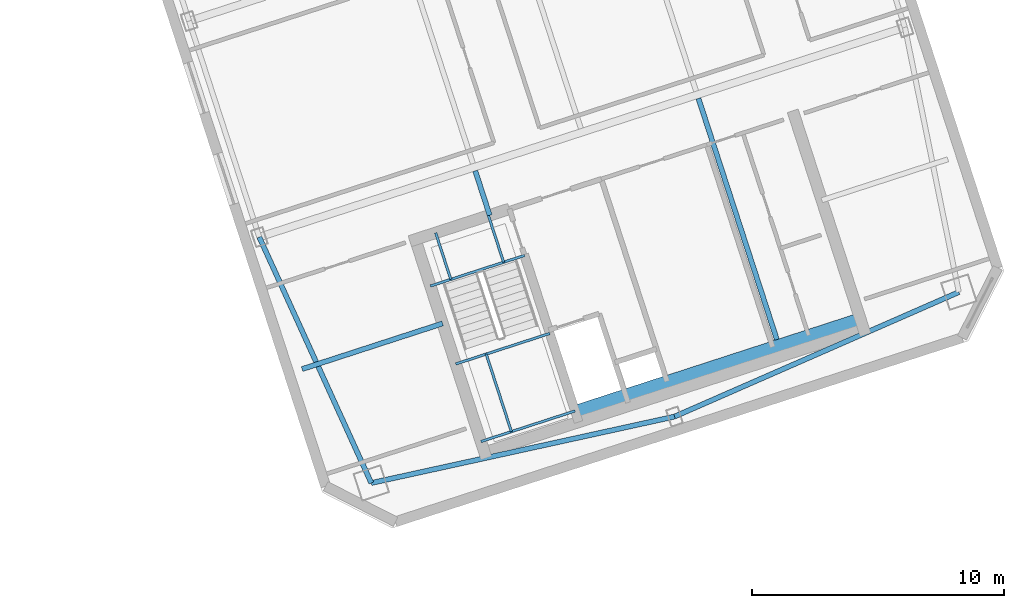
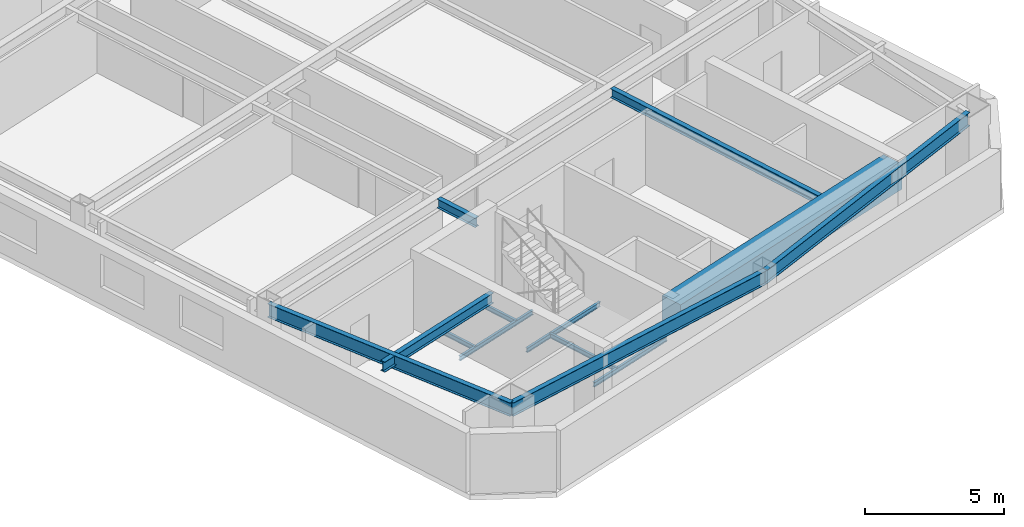
# One storey, part 11 of 25: 13 beams.
"""IFC4 building model written with IfcOpenShell, lengths in metres."""

import ifcopenshell
import ifcopenshell.guid

model = None  # the IFC model being written
_history = None  # IfcOwnerHistory: only IFC2X3 demands one
_inside = {}  # id of a spatial element -> (the spatial element, [elements in it])
_under = {}  # id of a project, library or spatial element -> (it, [spatial elements below it])
_declared = {}  # id of a project -> (the project, [libraries it declares])
_typed = {}  # id of a type object -> (the type object, [elements of that type])
_made_of = {}  # id of a material, layer set ... -> (it, [elements and type objects made of it])


def new_model(schema):
    """Start an empty IFC model of exactly this schema.

    Asked for "IFC4X3", IfcOpenShell would pick the latest addendum, in which some entities
    have other attributes; the version numbers below select the first issue.
    IFC2X3 requires an IfcOwnerHistory on every rooted entity: one is made here for all.
    """
    global model, _history
    if schema == "IFC4X3":
        model = ifcopenshell.file(schema_version=(4, 3, 0, 0))
    else:
        model = ifcopenshell.file(schema=schema)
    _inside.clear()
    _under.clear()
    _declared.clear()
    _typed.clear()
    _made_of.clear()
    _history = None
    if model.schema == "IFC2X3":
        org = make("IfcOrganization", Name="unknown")
        user = make(
            "IfcPersonAndOrganization",
            ThePerson=make("IfcPerson", FamilyName="unknown"),
            TheOrganization=org,
        )
        app = make(
            "IfcApplication",
            ApplicationDeveloper=org,
            Version="unknown",
            ApplicationFullName="unknown",
            ApplicationIdentifier="unknown",
        )
        _history = make(
            "IfcOwnerHistory",
            OwningUser=user,
            OwningApplication=app,
            ChangeAction="ADDED",
            CreationDate=0,
        )
    return model


def make(cls, **values):
    """One entity of the class cls with the attributes given. An attribute that is None is left unset."""
    return model.create_entity(
        cls, **{name: value for name, value in values.items() if value is not None}
    )


def rooted(cls, **values):
    """An entity with a GlobalId (a new one), such as an element, a storey or a relation."""
    return make(cls, GlobalId=ifcopenshell.guid.new(), OwnerHistory=_history, **values)


def si_unit(unit_type, name, prefix=None):
    """IfcSIUnit, for example si_unit("LENGTHUNIT", "METRE", prefix="MILLI")."""
    return make("IfcSIUnit", UnitType=unit_type, Prefix=prefix, Name=name)


def assignment(units):
    """IfcUnitAssignment: the units of a project."""
    return None if units is None else make("IfcUnitAssignment", Units=units)


def point(xyz):
    """IfcCartesianPoint."""
    return None if xyz is None else make("IfcCartesianPoint", Coordinates=xyz)


def direction(xyz):
    """IfcDirection."""
    return None if xyz is None else make("IfcDirection", DirectionRatios=xyz)


def frame(location, z_axis=None, x_axis=None):
    """IfcAxis2Placement3D, a coordinate frame: its origin and axes. An axis left out is left unset."""
    return make(
        "IfcAxis2Placement3D",
        Location=point(location),
        Axis=direction(z_axis),
        RefDirection=direction(x_axis),
    )


def frame_2d(location, x_axis=None):
    """IfcAxis2Placement2D, a coordinate frame in the plane: its origin and x axis."""
    return make(
        "IfcAxis2Placement2D", Location=point(location), RefDirection=direction(x_axis)
    )


def origin():
    """The frame at (0, 0, 0) with its axes left unset."""
    return frame((0.0, 0.0, 0.0))


def origin_2d():
    """The frame at (0, 0) in the plane with its x axis left unset."""
    return frame_2d((0.0, 0.0))


def place(relative_to, where):
    """IfcLocalPlacement: puts the frame where relative to a parent placement (None: the world)."""
    return make(
        "IfcLocalPlacement", PlacementRelTo=relative_to, RelativePlacement=where
    )


def context(
    kind, dimensions, precision=None, world=None, true_north=None, identifier=None
):
    """IfcGeometricRepresentationContext, for example the 3D "Model" context."""
    return make(
        "IfcGeometricRepresentationContext",
        ContextIdentifier=identifier,
        ContextType=kind,
        CoordinateSpaceDimension=dimensions,
        Precision=precision,
        WorldCoordinateSystem=world,
        TrueNorth=true_north,
    )


def subcontext(parent, identifier, kind, view, scale=None):
    """IfcGeometricRepresentationSubContext, for example "Body" below "Model"."""
    return make(
        "IfcGeometricRepresentationSubContext",
        ContextIdentifier=identifier,
        ContextType=kind,
        ParentContext=parent,
        TargetScale=scale,
        TargetView=view,
    )


def project(units=None, contexts=None):
    """IfcProject with its units and contexts."""
    return rooted(
        "IfcProject",
        Name="project",
        RepresentationContexts=contexts,
        UnitsInContext=assignment(units),
    )


def spatial(cls, under=None, at=None, **own):
    """A site, building, storey or space (cls), placed at a placement, below another one or the project."""
    s = rooted(cls, ObjectPlacement=at, **own)
    if under is not None:
        _under.setdefault(under.id(), (under, []))[1].append(s)
    return s


def profile(cls, at=None, kind="AREA", **sizes):
    """A parametric profile (cls). Its sizes go by their IFC names, for example OverallWidth=200.0."""
    return make(cls, ProfileType=kind, Position=at, **sizes)


def rectangle(**sizes):
    """IfcRectangleProfileDef."""
    return profile("IfcRectangleProfileDef", **sizes)


def i_section(**sizes):
    """IfcIShapeProfileDef."""
    return profile("IfcIShapeProfileDef", **sizes)


def extrude(swept, where, along, depth):
    """IfcExtrudedAreaSolid: the profile swept, set in the frame where, extruded along a direction by depth."""
    return make(
        "IfcExtrudedAreaSolid",
        SweptArea=swept,
        Position=where,
        ExtrudedDirection=direction(along),
        Depth=depth,
    )


def shape(context_of_items, identifier, shape_type, items):
    """IfcShapeRepresentation: the items that make up one representation, for example the "Body"."""
    return make(
        "IfcShapeRepresentation",
        ContextOfItems=context_of_items,
        RepresentationIdentifier=identifier,
        RepresentationType=shape_type,
        Items=items,
    )


def material(Name=None, Category=None):
    """IfcMaterial."""
    return make("IfcMaterial", Name=Name, Category=Category)


def material_profile(
    of_material, cross_section, Name=None, Category=None, Priority=None
):
    """IfcMaterialProfile: a cross section and its material."""
    return make(
        "IfcMaterialProfile",
        Name=Name,
        Material=of_material,
        Profile=cross_section,
        Priority=Priority,
        Category=Category,
    )


def profile_set(profiles, Name=None, composite=None):
    """IfcMaterialProfileSet."""
    return make(
        "IfcMaterialProfileSet",
        Name=Name,
        MaterialProfiles=profiles,
        CompositeProfile=composite,
    )


def made_of(thing, what):
    """Note that an element or type object is made of a material, layer set ...; save() writes the relation."""
    if what is not None:
        _made_of.setdefault(what.id(), (what, []))[1].append(thing)
    return thing


def type_object(cls, material=None, **own):
    """A type object (cls), such as IfcWallType, which elements share."""
    return made_of(rooted(cls, **own), material)


def element(
    cls,
    number,
    at=None,
    inside=None,
    cuts=None,
    type_object=None,
    material=None,
    context=None,
    identifier="Body",
    shape_type=None,
    held_by="IfcProductDefinitionShape",
    body=None,
    shapes=None,
    **own,
):
    """One element of the class cls, such as IfcWall. Its Tag is "e" and its number.

    at: its placement. inside: the storey or other place that contains it. cuts: it is an
    opening in that element (IfcRelVoidsElement). A single representation is given by context,
    identifier, shape_type and body (its items); several are given by shapes. held_by: the class
    of the entity that holds the representations. save() writes the other relations.
    """
    e = rooted(cls, Tag="e%d" % number, ObjectPlacement=at, **own)
    if body is not None:
        shapes = [shape(context, identifier, shape_type, body)]
    if shapes is not None:
        e.Representation = make(held_by, Representations=shapes)
    if inside is not None:
        _inside.setdefault(inside.id(), (inside, []))[1].append(e)
    if cuts is not None:
        rooted(
            "IfcRelVoidsElement", RelatingBuildingElement=cuts, RelatedOpeningElement=e
        )
    if type_object is not None:
        _typed.setdefault(type_object.id(), (type_object, []))[1].append(e)
    return made_of(e, material)


def aggregate(whole, parts):
    """IfcRelAggregates: a whole, such as a stair, and the parts it consists of."""
    return rooted("IfcRelAggregates", RelatingObject=whole, RelatedObjects=parts)


def save(model, path):
    """Write the relations noted so far, then the file.

    IfcRelAggregates (storeys below a building ...), IfcRelContainedInSpatialStructure (elements
    in a storey), IfcRelDefinesByType, IfcRelAssociatesMaterial and IfcRelDeclares: one each for
    every whole, place, type object, material and project.
    """
    for whole, parts in _under.values():
        aggregate(whole, parts)
    for where, things in _inside.values():
        rooted(
            "IfcRelContainedInSpatialStructure",
            RelatedElements=things,
            RelatingStructure=where,
        )
    for kind, things in _typed.values():
        rooted("IfcRelDefinesByType", RelatedObjects=things, RelatingType=kind)
    for what, things in _made_of.values():
        rooted("IfcRelAssociatesMaterial", RelatedObjects=things, RelatingMaterial=what)
    for by, libraries in _declared.values():
        rooted("IfcRelDeclares", RelatingContext=by, RelatedDefinitions=libraries)
    model.write(path)


model = new_model("IFC4")

# Units and contexts
model_context = context("Model", 3, precision=1e-05, world=origin(), true_north=direction((0.0, 1.0)))
body_context = subcontext(model_context, "Body", "Model", "MODEL_VIEW")
ifc_project = project(units=[si_unit("LENGTHUNIT", "METRE"), si_unit("AREAUNIT", "SQUARE_METRE"), si_unit("VOLUMEUNIT", "CUBIC_METRE"), si_unit("PLANEANGLEUNIT", "RADIAN"), si_unit("MASSUNIT", "GRAM", prefix="KILO")], contexts=[model_context])

# Site, building, storey
site_placement = place(None, origin())
site = spatial("IfcSite", under=ifc_project, at=site_placement, CompositionType="ELEMENT")
building_placement = place(site_placement, origin())
building = spatial("IfcBuilding", under=site, at=building_placement, Name="Qiaolan Cultural Towers", CompositionType="ELEMENT")
storey_placement = place(building_placement, frame((0.0, 0.0, 202.39990234375)))
storey = spatial("IfcBuildingStorey", under=building, at=storey_placement, Name="L54", CompositionType="ELEMENT", Elevation=202.39990234375)

# Beams
ifc_material_1 = material(Name="Steel Q355B", Category="steel")
ifc_material_profile_1 = material_profile(ifc_material_1, i_section(OverallWidth=0.199951171875, OverallDepth=0.39990234375, WebThickness=0.008056640625, FlangeThickness=0.012939453125, at=origin_2d()), Name="HN400x200x8x13")
ifc_profile_set_1 = profile_set([ifc_material_profile_1], Name="Steel Q355B")
beam_type_1 = type_object("IfcBeamType", Name="BM-JST-HN400x200x8x13", PredefinedType="JOIST", material=ifc_profile_set_1)
beam_1_placement = place(storey_placement, frame((89.119384765625, 22.147705078125, 2.989990234375), z_axis=(-0.308933885266, 0.951083516067, 0.0), x_axis=(-0.951083516067, -0.308933885266, 0.0)))
element("IfcBeam", 1, at=beam_1_placement, inside=storey, type_object=beam_type_1, Name="L54 T2 Secondary Floor Joist U1-1", PredefinedType="JOIST", context=body_context, shape_type="SweptSolid", body=[
    extrude(i_section(OverallWidth=0.199951171875, OverallDepth=0.39990234375, WebThickness=0.008056640625, FlangeThickness=0.012939453125, at=origin_2d()), origin(), (0.0, 0.0, 1.0), 1.85009765625),
])
beam_2_placement = place(storey_placement, frame((100.498291015625, 17.222900390625, 2.989990234375), z_axis=(-0.309025649293, 0.951053704098, 0.0), x_axis=(-0.951053704098, -0.309025649293, 0.0)))
element("IfcBeam", 2, at=beam_2_placement, inside=storey, type_object=beam_type_1, Name="L54 T2 Secondary Floor Joist U3-1", PredefinedType="JOIST", context=body_context, shape_type="SweptSolid", body=[
    extrude(i_section(OverallWidth=0.199951171875, OverallDepth=0.39990234375, WebThickness=0.008056640625, FlangeThickness=0.012939453125, at=origin_2d()), origin(), (0.0, 0.0, 1.0), 10.050048828125),
])
ifc_material_2 = material(Name="Steel Q355B", Category="steel")
ifc_material_profile_2 = material_profile(ifc_material_2, i_section(OverallWidth=0.199951171875, OverallDepth=0.449951171875, WebThickness=0.009033203125, FlangeThickness=0.013916015625, at=origin_2d()), Name="HN450x200x9x14")
ifc_profile_set_2 = profile_set([ifc_material_profile_2], Name="Steel Q355B")
beam_type_2 = type_object("IfcBeamType", Name="BM-LNT-HN450x200x9x14", PredefinedType="LINTEL", material=ifc_profile_set_2)
beam_3_placement = place(storey_placement, frame((87.252685546875, 17.861083984375, 2.965087890625), z_axis=(-0.951063813276, -0.308994535675, 0.0), x_axis=(0.308994535675, -0.951063813276, 0.0)))
element("IfcBeam", 3, at=beam_3_placement, inside=storey, type_object=beam_type_2, Name="L54 T2 Core Flank Tie Lintel WS", PredefinedType="LINTEL", context=body_context, shape_type="SweptSolid", body=[
    extrude(i_section(OverallWidth=0.199951171875, OverallDepth=0.449951171875, WebThickness=0.009033203125, FlangeThickness=0.013916015625, at=origin_2d()), origin(), (0.0, 0.0, 1.0), 5.85009765625),
])
ifc_material_3 = material(Name="Concrete C50", Category="concrete")
ifc_material_profile_3 = material_profile(ifc_material_3, rectangle(XDim=0.89990234375, YDim=1.10009765625, at=origin_2d()), Name="RC900x1100")
ifc_profile_set_3 = profile_set([ifc_material_profile_3], Name="Concrete C50")
beam_type_3 = type_object("IfcBeamType", Name="BM-RC900x1100", PredefinedType="BEAM", material=ifc_profile_set_3)
beam_4_placement = place(storey_placement, frame((92.572265625, 14.174560546875, 2.64013671875), z_axis=(0.951056266386, 0.309017763514, 0.0), x_axis=(-0.309017763514, 0.951056266386, 0.0)))
element("IfcBeam", 4, at=beam_4_placement, inside=storey, type_object=beam_type_3, Name="L54 T2 Core Header Girder S", PredefinedType="BEAM", context=body_context, shape_type="SweptSolid", body=[
    extrude(rectangle(XDim=0.89990234375, YDim=1.10009765625, at=origin_2d()), origin(), (0.0, 0.0, 1.0), 11.880126953125),
])
ifc_material_4 = material(Name="Steel Q355B", Category="steel")
ifc_material_profile_4 = material_profile(ifc_material_4, i_section(OverallWidth=0.199951171875, OverallDepth=0.60009765625, WebThickness=0.010986328125, FlangeThickness=0.01708984375, at=origin_2d()), Name="HN600x200x11x17")
ifc_profile_set_4 = profile_set([ifc_material_profile_4], Name="Steel Q355B")
beam_type_4 = type_object("IfcBeamType", Name="BM-SPD-HN600x200x11x17", PredefinedType="SPANDREL", material=ifc_profile_set_4)
beam_5_placement = place(storey_placement, frame((84.42822265625, 11.538818359375, 2.89013671875), z_axis=(0.976843395078, 0.213955559619, 0.0), x_axis=(-0.213955559619, 0.976843395078, 0.0)))
element("IfcBeam", 5, at=beam_5_placement, inside=storey, type_object=beam_type_4, Name="L54 T2 Perimeter Spandrel Beam 1", PredefinedType="SPANDREL", context=body_context, shape_type="SweptSolid", body=[
    extrude(i_section(OverallWidth=0.199951171875, OverallDepth=0.60009765625, WebThickness=0.010986328125, FlangeThickness=0.01708984375, at=origin_2d()), origin(), (0.0, 0.0, 1.0), 12.2998046875),
])
beam_6_placement = place(storey_placement, frame((96.443115234375, 14.17041015625, 2.89013671875), z_axis=(0.916042038824, 0.401082264762, 0.0), x_axis=(-0.401082264762, 0.916042038824, 0.0)))
element("IfcBeam", 6, at=beam_6_placement, inside=storey, type_object=beam_type_4, Name="L54 T2 Perimeter Spandrel Beam 2", PredefinedType="SPANDREL", context=body_context, shape_type="SweptSolid", body=[
    extrude(i_section(OverallWidth=0.199951171875, OverallDepth=0.60009765625, WebThickness=0.010986328125, FlangeThickness=0.01708984375, at=origin_2d()), origin(), (0.0, 0.0, 1.0), 12.299560546875),
])
beam_7_placement = place(storey_placement, frame((79.989501953125, 21.2841796875, 2.89013671875), z_axis=(0.414500208282, -0.910049216985, 0.0), x_axis=(0.910049216985, 0.414500208282, 0.0)))
element("IfcBeam", 7, at=beam_7_placement, inside=storey, type_object=beam_type_4, Name="L54 T2 Perimeter Spandrel Beam 12", PredefinedType="SPANDREL", context=body_context, shape_type="SweptSolid", body=[
    extrude(i_section(OverallWidth=0.199951171875, OverallDepth=0.60009765625, WebThickness=0.010986328125, FlangeThickness=0.01708984375, at=origin_2d()), origin(), (0.0, 0.0, 1.0), 10.70849609375),
])
ifc_material_5 = material(Name="Steel Q355B", Category="steel")
ifc_material_profile_5 = material_profile(ifc_material_5, i_section(OverallWidth=0.10009765625, OverallDepth=0.199951171875, WebThickness=0.005615234375, FlangeThickness=0.008056640625, at=origin_2d()), Name="HN200x100x5.5x8")
ifc_profile_set_5 = profile_set([ifc_material_profile_5], Name="Steel Q355B")
beam_type_5 = type_object("IfcBeamType", Name="BM-STTRIM-200", PredefinedType="BEAM", material=ifc_profile_set_5)
beam_8_placement = place(storey_placement, frame((86.770751953125, 19.3447265625, -0.4599609375), z_axis=(0.951047798727, 0.309043823005, 0.0), x_axis=(-0.309043823005, 0.951047798727, 0.0)))
element("IfcBeam", 8, at=beam_8_placement, inside=storey, type_object=beam_type_5, Name="L54 ST-E1 Floor Landing Header Beam", PredefinedType="BEAM", context=body_context, shape_type="SweptSolid", body=[
    extrude(i_section(OverallWidth=0.10009765625, OverallDepth=0.199951171875, WebThickness=0.005615234375, FlangeThickness=0.008056640625, at=origin_2d()), origin(), (0.0, 0.0, 1.0), 3.919921875),
])
for number, where, z_axis, x_axis, name in (
    (9, (86.9794921875, 21.452392578125, -0.4599609375), (0.309083226701, -0.951034993558, 0.0), (0.951034993558, 0.309083226701, 0.0), "L54 ST-E1 Floor Landing Stringer 1"),
    (10, (89.07177734375, 22.13232421875, -0.4599609375), (0.309083226701, -0.951034993558, 0.0), (0.951034993558, 0.309083226701, 0.0), "L54 ST-E1 Floor Landing Stringer 2"),
):
    element("IfcBeam", number, at=place(storey_placement, frame(where, z_axis=z_axis, x_axis=x_axis)), inside=storey, type_object=beam_type_5, Name=name, PredefinedType="BEAM", context=body_context, shape_type="SweptSolid", body=[
        extrude(i_section(OverallWidth=0.10009765625, OverallDepth=0.199951171875, WebThickness=0.005615234375, FlangeThickness=0.008056640625, at=origin_2d()), origin(), (0.0, 0.0, 1.0), 1.93994140625),
    ])
for number, where, z_axis, x_axis, name in (
    (11, (87.774658203125, 16.255126953125, 1.425048828125), (0.951047798727, 0.309043823005, 0.0), (-0.309043823005, 0.951047798727, 0.0), "L54 ST-E1 Stair Landing Support Beam 1-1"),
    (12, (88.773193359375, 13.181884765625, 1.425048828125), (0.951047798727, 0.309043823005, 0.0), (-0.309043823005, 0.951047798727, 0.0), "L54 ST-E1 Stair Landing Support Beam 1-2"),
):
    element("IfcBeam", number, at=place(storey_placement, frame(where, z_axis=z_axis, x_axis=x_axis)), inside=storey, type_object=beam_type_5, Name=name, PredefinedType="BEAM", context=body_context, shape_type="SweptSolid", body=[
        extrude(i_section(OverallWidth=0.10009765625, OverallDepth=0.199951171875, WebThickness=0.005615234375, FlangeThickness=0.008056640625, at=origin_2d()), origin(), (0.0, 0.0, 1.0), 3.919921875),
    ])
beam_9_placement = place(storey_placement, frame((88.982421875, 16.6474609375, 1.425048828125), z_axis=(0.309033108495, -0.951051280349, 0.0), x_axis=(0.951051280349, 0.309033108495, 0.0)))
element("IfcBeam", 13, at=beam_9_placement, inside=storey, type_object=beam_type_5, Name="L54 ST-E1 Stair Landing Trimmer 1", PredefinedType="BEAM", context=body_context, shape_type="SweptSolid", body=[
    extrude(i_section(OverallWidth=0.10009765625, OverallDepth=0.199951171875, WebThickness=0.005615234375, FlangeThickness=0.008056640625, at=origin_2d()), origin(), (0.0, 0.0, 1.0), 3.231201171875),
])

save(model, "model.ifc")
